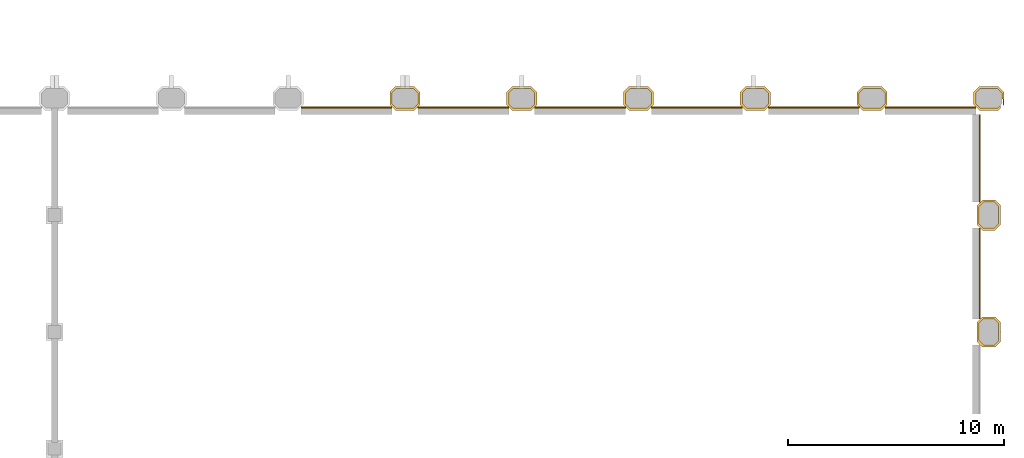
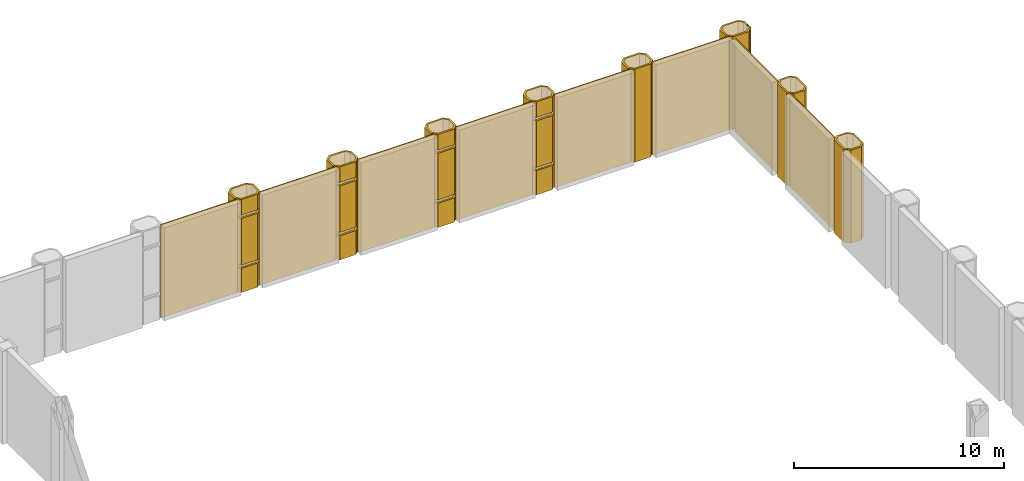
# One storey, part 27 of 27: 24 coverings.
"""IFC4 building model written with IfcOpenShell, lengths in metres."""

from ifc_helpers import new_model, si_unit, direction, frame, frame_2d, origin, place, context, subcontext, project, spatial, polyline, rectangle, outline, extrude, material, layer, layer_set, type_object, element, save


model = new_model("IFC4")

# Units and contexts
model_context = context("Model", 3, precision=1e-05, world=origin(), true_north=direction((0.0, 1.0)))
body_context = subcontext(model_context, "Body", "Model", "MODEL_VIEW")
ifc_project = project(units=[si_unit("LENGTHUNIT", "METRE"), si_unit("AREAUNIT", "SQUARE_METRE"), si_unit("VOLUMEUNIT", "CUBIC_METRE"), si_unit("PLANEANGLEUNIT", "RADIAN"), si_unit("MASSUNIT", "GRAM", prefix="KILO")], contexts=[model_context])

# Site, building, storey
site_placement = place(None, origin())
site = spatial("IfcSite", under=ifc_project, at=site_placement, CompositionType="ELEMENT")
building_placement = place(site_placement, origin())
building = spatial("IfcBuilding", under=site, at=building_placement, Name="Tabaq Tower and Sports Hall", CompositionType="ELEMENT")
storey_placement = place(building_placement, frame((0.0, 0.0, 14.39990234375)))
storey = spatial("IfcBuildingStorey", under=building, at=storey_placement, Name="L02", CompositionType="ELEMENT", Elevation=14.39990234375)

# Coverings
ifc_material_1 = material(Name="Precast concrete C60/75", Category="concrete")
ifc_layer_1 = layer(ifc_material_1, 0.10009765625)
ifc_layer_set_1 = layer_set([ifc_layer_1], Name="Column cladding 100")
covering_type_1 = type_object("IfcCoveringType", Name="Column cladding 100", PredefinedType="CLADDING", material=ifc_layer_set_1)
covering_1_placement = place(storey_placement, origin())
element("IfcCovering", 1, at=covering_1_placement, inside=storey, type_object=covering_type_1, Name="Column cladding L02 HC-19I", PredefinedType="CLADDING", context=body_context, shape_type="SweptSolid", body=[
    extrude(outline(polyline([(96.500244140625, 42.90869140625), (96.500244140625, 43.4912109375), (96.7587890625, 43.749755859375), (97.641357421875, 43.749755859375), (97.899658203125, 43.4912109375), (97.899658203125, 42.90869140625), (97.641357421875, 42.650390625), (96.7587890625, 42.650390625), (96.500244140625, 42.90869140625)]), holes=[polyline([(97.60009765625, 42.749755859375), (97.80029296875, 42.949951171875), (97.80029296875, 43.4501953125), (97.60009765625, 43.650390625), (96.7998046875, 43.650390625), (96.599609375, 43.4501953125), (96.599609375, 42.949951171875), (96.7998046875, 42.749755859375), (97.60009765625, 42.749755859375)])]), origin(), (0.0, 0.0, 1.0), 1.400146484375),
])
covering_2_placement = place(storey_placement, frame((0.0, 0.0, 1.60009765625)))
element("IfcCovering", 2, at=covering_2_placement, inside=storey, type_object=covering_type_1, Name="Column cladding L02 HC-19I 2", PredefinedType="CLADDING", context=body_context, shape_type="SweptSolid", body=[
    extrude(outline(polyline([(96.500244140625, 42.90869140625), (96.500244140625, 43.4912109375), (96.7587890625, 43.749755859375), (97.641357421875, 43.749755859375), (97.899658203125, 43.4912109375), (97.899658203125, 42.90869140625), (97.641357421875, 42.650390625), (96.7587890625, 42.650390625), (96.500244140625, 42.90869140625)]), holes=[polyline([(97.60009765625, 42.749755859375), (97.80029296875, 42.949951171875), (97.80029296875, 43.4501953125), (97.60009765625, 43.650390625), (96.7998046875, 43.650390625), (96.599609375, 43.4501953125), (96.599609375, 42.949951171875), (96.7998046875, 42.749755859375), (97.60009765625, 42.749755859375)])]), origin(), (0.0, 0.0, 1.0), 2.699951171875),
])
covering_3_placement = place(storey_placement, frame((0.0, 0.0, 4.5)))
element("IfcCovering", 3, at=covering_3_placement, inside=storey, type_object=covering_type_1, Name="Column cladding L02 HC-19I 3", PredefinedType="CLADDING", context=body_context, shape_type="SweptSolid", body=[
    extrude(outline(polyline([(96.500244140625, 42.90869140625), (96.500244140625, 43.4912109375), (96.7587890625, 43.749755859375), (97.641357421875, 43.749755859375), (97.899658203125, 43.4912109375), (97.899658203125, 42.90869140625), (97.641357421875, 42.650390625), (96.7587890625, 42.650390625), (96.500244140625, 42.90869140625)]), holes=[polyline([(97.60009765625, 42.749755859375), (97.80029296875, 42.949951171875), (97.80029296875, 43.4501953125), (97.60009765625, 43.650390625), (96.7998046875, 43.650390625), (96.599609375, 43.4501953125), (96.599609375, 42.949951171875), (96.7998046875, 42.749755859375), (97.60009765625, 42.749755859375)])]), origin(), (0.0, 0.0, 1.0), 0.900146484375),
])
covering_4_placement = place(storey_placement, origin())
element("IfcCovering", 4, at=covering_4_placement, inside=storey, type_object=covering_type_1, Name="Column cladding L02 HC-20I", PredefinedType="CLADDING", context=body_context, shape_type="SweptSolid", body=[
    extrude(outline(polyline([(101.900390625, 42.90869140625), (101.900390625, 43.4912109375), (102.15869140625, 43.749755859375), (103.041259765625, 43.749755859375), (103.2998046875, 43.4912109375), (103.2998046875, 42.90869140625), (103.041259765625, 42.650390625), (102.15869140625, 42.650390625), (101.900390625, 42.90869140625)]), holes=[polyline([(103.000244140625, 42.749755859375), (103.2001953125, 42.949951171875), (103.2001953125, 43.4501953125), (103.000244140625, 43.650390625), (102.199951171875, 43.650390625), (101.999755859375, 43.4501953125), (101.999755859375, 42.949951171875), (102.199951171875, 42.749755859375), (103.000244140625, 42.749755859375)])]), origin(), (0.0, 0.0, 1.0), 1.400146484375),
])
covering_5_placement = place(storey_placement, frame((0.0, 0.0, 1.60009765625)))
element("IfcCovering", 5, at=covering_5_placement, inside=storey, type_object=covering_type_1, Name="Column cladding L02 HC-20I 2", PredefinedType="CLADDING", context=body_context, shape_type="SweptSolid", body=[
    extrude(outline(polyline([(101.900390625, 42.90869140625), (101.900390625, 43.4912109375), (102.15869140625, 43.749755859375), (103.041259765625, 43.749755859375), (103.2998046875, 43.4912109375), (103.2998046875, 42.90869140625), (103.041259765625, 42.650390625), (102.15869140625, 42.650390625), (101.900390625, 42.90869140625)]), holes=[polyline([(103.000244140625, 42.749755859375), (103.2001953125, 42.949951171875), (103.2001953125, 43.4501953125), (103.000244140625, 43.650390625), (102.199951171875, 43.650390625), (101.999755859375, 43.4501953125), (101.999755859375, 42.949951171875), (102.199951171875, 42.749755859375), (103.000244140625, 42.749755859375)])]), origin(), (0.0, 0.0, 1.0), 2.699951171875),
])
covering_6_placement = place(storey_placement, frame((0.0, 0.0, 4.5)))
element("IfcCovering", 6, at=covering_6_placement, inside=storey, type_object=covering_type_1, Name="Column cladding L02 HC-20I 3", PredefinedType="CLADDING", context=body_context, shape_type="SweptSolid", body=[
    extrude(outline(polyline([(101.900390625, 42.90869140625), (101.900390625, 43.4912109375), (102.15869140625, 43.749755859375), (103.041259765625, 43.749755859375), (103.2998046875, 43.4912109375), (103.2998046875, 42.90869140625), (103.041259765625, 42.650390625), (102.15869140625, 42.650390625), (101.900390625, 42.90869140625)]), holes=[polyline([(103.000244140625, 42.749755859375), (103.2001953125, 42.949951171875), (103.2001953125, 43.4501953125), (103.000244140625, 43.650390625), (102.199951171875, 43.650390625), (101.999755859375, 43.4501953125), (101.999755859375, 42.949951171875), (102.199951171875, 42.749755859375), (103.000244140625, 42.749755859375)])]), origin(), (0.0, 0.0, 1.0), 0.900146484375),
])
covering_7_placement = place(storey_placement, origin())
element("IfcCovering", 7, at=covering_7_placement, inside=storey, type_object=covering_type_1, Name="Column cladding L02 HC-21I", PredefinedType="CLADDING", context=body_context, shape_type="SweptSolid", body=[
    extrude(outline(polyline([(107.30029296875, 42.90869140625), (107.30029296875, 43.4912109375), (107.55859375, 43.749755859375), (108.44140625, 43.749755859375), (108.69970703125, 43.4912109375), (108.69970703125, 42.90869140625), (108.44140625, 42.650390625), (107.55859375, 42.650390625), (107.30029296875, 42.90869140625)]), holes=[polyline([(108.400146484375, 42.749755859375), (108.600341796875, 42.949951171875), (108.600341796875, 43.4501953125), (108.400146484375, 43.650390625), (107.599853515625, 43.650390625), (107.399658203125, 43.4501953125), (107.399658203125, 42.949951171875), (107.599853515625, 42.749755859375), (108.400146484375, 42.749755859375)])]), origin(), (0.0, 0.0, 1.0), 1.400146484375),
])
covering_8_placement = place(storey_placement, frame((0.0, 0.0, 1.60009765625)))
element("IfcCovering", 8, at=covering_8_placement, inside=storey, type_object=covering_type_1, Name="Column cladding L02 HC-21I 2", PredefinedType="CLADDING", context=body_context, shape_type="SweptSolid", body=[
    extrude(outline(polyline([(107.30029296875, 42.90869140625), (107.30029296875, 43.4912109375), (107.55859375, 43.749755859375), (108.44140625, 43.749755859375), (108.69970703125, 43.4912109375), (108.69970703125, 42.90869140625), (108.44140625, 42.650390625), (107.55859375, 42.650390625), (107.30029296875, 42.90869140625)]), holes=[polyline([(108.400146484375, 42.749755859375), (108.600341796875, 42.949951171875), (108.600341796875, 43.4501953125), (108.400146484375, 43.650390625), (107.599853515625, 43.650390625), (107.399658203125, 43.4501953125), (107.399658203125, 42.949951171875), (107.599853515625, 42.749755859375), (108.400146484375, 42.749755859375)])]), origin(), (0.0, 0.0, 1.0), 2.699951171875),
])
covering_9_placement = place(storey_placement, frame((0.0, 0.0, 4.5)))
element("IfcCovering", 9, at=covering_9_placement, inside=storey, type_object=covering_type_1, Name="Column cladding L02 HC-21I 3", PredefinedType="CLADDING", context=body_context, shape_type="SweptSolid", body=[
    extrude(outline(polyline([(107.30029296875, 42.90869140625), (107.30029296875, 43.4912109375), (107.55859375, 43.749755859375), (108.44140625, 43.749755859375), (108.69970703125, 43.4912109375), (108.69970703125, 42.90869140625), (108.44140625, 42.650390625), (107.55859375, 42.650390625), (107.30029296875, 42.90869140625)]), holes=[polyline([(108.400146484375, 42.749755859375), (108.600341796875, 42.949951171875), (108.600341796875, 43.4501953125), (108.400146484375, 43.650390625), (107.599853515625, 43.650390625), (107.399658203125, 43.4501953125), (107.399658203125, 42.949951171875), (107.599853515625, 42.749755859375), (108.400146484375, 42.749755859375)])]), origin(), (0.0, 0.0, 1.0), 0.900146484375),
])
covering_10_placement = place(storey_placement, origin())
element("IfcCovering", 10, at=covering_10_placement, inside=storey, type_object=covering_type_1, Name="Column cladding L02 HC-22I", PredefinedType="CLADDING", context=body_context, shape_type="SweptSolid", body=[
    extrude(outline(polyline([(112.7001953125, 42.90869140625), (112.7001953125, 43.4912109375), (112.958740234375, 43.749755859375), (113.84130859375, 43.749755859375), (114.099609375, 43.4912109375), (114.099609375, 42.90869140625), (113.84130859375, 42.650390625), (112.958740234375, 42.650390625), (112.7001953125, 42.90869140625)]), holes=[polyline([(113.800048828125, 42.749755859375), (114.000244140625, 42.949951171875), (114.000244140625, 43.4501953125), (113.800048828125, 43.650390625), (112.999755859375, 43.650390625), (112.7998046875, 43.4501953125), (112.7998046875, 42.949951171875), (112.999755859375, 42.749755859375), (113.800048828125, 42.749755859375)])]), origin(), (0.0, 0.0, 1.0), 1.400146484375),
])
covering_11_placement = place(storey_placement, frame((0.0, 0.0, 1.60009765625)))
element("IfcCovering", 11, at=covering_11_placement, inside=storey, type_object=covering_type_1, Name="Column cladding L02 HC-22I 2", PredefinedType="CLADDING", context=body_context, shape_type="SweptSolid", body=[
    extrude(outline(polyline([(112.7001953125, 42.90869140625), (112.7001953125, 43.4912109375), (112.958740234375, 43.749755859375), (113.84130859375, 43.749755859375), (114.099609375, 43.4912109375), (114.099609375, 42.90869140625), (113.84130859375, 42.650390625), (112.958740234375, 42.650390625), (112.7001953125, 42.90869140625)]), holes=[polyline([(113.800048828125, 42.749755859375), (114.000244140625, 42.949951171875), (114.000244140625, 43.4501953125), (113.800048828125, 43.650390625), (112.999755859375, 43.650390625), (112.7998046875, 43.4501953125), (112.7998046875, 42.949951171875), (112.999755859375, 42.749755859375), (113.800048828125, 42.749755859375)])]), origin(), (0.0, 0.0, 1.0), 2.699951171875),
])
covering_12_placement = place(storey_placement, frame((0.0, 0.0, 4.5)))
element("IfcCovering", 12, at=covering_12_placement, inside=storey, type_object=covering_type_1, Name="Column cladding L02 HC-22I 3", PredefinedType="CLADDING", context=body_context, shape_type="SweptSolid", body=[
    extrude(outline(polyline([(112.7001953125, 42.90869140625), (112.7001953125, 43.4912109375), (112.958740234375, 43.749755859375), (113.84130859375, 43.749755859375), (114.099609375, 43.4912109375), (114.099609375, 42.90869140625), (113.84130859375, 42.650390625), (112.958740234375, 42.650390625), (112.7001953125, 42.90869140625)]), holes=[polyline([(113.800048828125, 42.749755859375), (114.000244140625, 42.949951171875), (114.000244140625, 43.4501953125), (113.800048828125, 43.650390625), (112.999755859375, 43.650390625), (112.7998046875, 43.4501953125), (112.7998046875, 42.949951171875), (112.999755859375, 42.749755859375), (113.800048828125, 42.749755859375)])]), origin(), (0.0, 0.0, 1.0), 0.900146484375),
])
covering_13_placement = place(storey_placement, origin())
element("IfcCovering", 13, at=covering_13_placement, inside=storey, type_object=covering_type_1, Name="Column cladding L02 HC-23I", PredefinedType="CLADDING", context=body_context, shape_type="SweptSolid", body=[
    extrude(outline(polyline([(118.100341796875, 42.90869140625), (118.100341796875, 43.4912109375), (118.358642578125, 43.749755859375), (119.2412109375, 43.749755859375), (119.499755859375, 43.4912109375), (119.499755859375, 42.90869140625), (119.2412109375, 42.650390625), (118.358642578125, 42.650390625), (118.100341796875, 42.90869140625)]), holes=[polyline([(119.2001953125, 42.749755859375), (119.400390625, 42.949951171875), (119.400390625, 43.4501953125), (119.2001953125, 43.650390625), (118.39990234375, 43.650390625), (118.19970703125, 43.4501953125), (118.19970703125, 42.949951171875), (118.39990234375, 42.749755859375), (119.2001953125, 42.749755859375)])]), origin(), (0.0, 0.0, 1.0), 5.400146484375),
])
covering_14_placement = place(storey_placement, origin())
element("IfcCovering", 14, at=covering_14_placement, inside=storey, type_object=covering_type_1, Name="Column cladding L02 HC-24G", PredefinedType="CLADDING", context=body_context, shape_type="SweptSolid", body=[
    extrude(outline(polyline([(123.90869140625, 31.7001953125), (123.650390625, 31.958740234375), (123.650390625, 32.84130859375), (123.90869140625, 33.099609375), (124.4912109375, 33.099609375), (124.73974609375, 32.851318359375), (124.73974609375, 32.419677734375), (124.749755859375, 32.419677734375), (124.749755859375, 32.38037109375), (124.73974609375, 32.38037109375), (124.73974609375, 31.94873046875), (124.4912109375, 31.7001953125), (123.90869140625, 31.7001953125)]), holes=[polyline([(124.4501953125, 33.000244140625), (123.949951171875, 33.000244140625), (123.749755859375, 32.800048828125), (123.749755859375, 31.999755859375), (123.949951171875, 31.7998046875), (124.4501953125, 31.7998046875), (124.650390625, 31.999755859375), (124.650390625, 32.800048828125), (124.4501953125, 33.000244140625)])]), origin(), (0.0, 0.0, 1.0), 5.400146484375),
])
covering_15_placement = place(storey_placement, origin())
element("IfcCovering", 15, at=covering_15_placement, inside=storey, type_object=covering_type_1, Name="Column cladding L02 HC-24H", PredefinedType="CLADDING", context=body_context, shape_type="SweptSolid", body=[
    extrude(outline(polyline([(123.90869140625, 37.100341796875), (123.650390625, 37.358642578125), (123.650390625, 38.2412109375), (123.90869140625, 38.499755859375), (124.4912109375, 38.499755859375), (124.73974609375, 38.251220703125), (124.73974609375, 37.3486328125), (124.4912109375, 37.100341796875), (123.90869140625, 37.100341796875)]), holes=[polyline([(124.4501953125, 38.400390625), (123.949951171875, 38.400390625), (123.749755859375, 38.2001953125), (123.749755859375, 37.39990234375), (123.949951171875, 37.19970703125), (124.4501953125, 37.19970703125), (124.650390625, 37.39990234375), (124.650390625, 38.2001953125), (124.4501953125, 38.400390625)])]), origin(), (0.0, 0.0, 1.0), 5.400146484375),
])
covering_16_placement = place(storey_placement, origin())
element("IfcCovering", 16, at=covering_16_placement, inside=storey, type_object=covering_type_1, Name="Column cladding L02 HC-24I", PredefinedType="CLADDING", context=body_context, shape_type="SweptSolid", body=[
    extrude(outline(polyline([(123.500244140625, 43.4912109375), (123.7587890625, 43.749755859375), (124.641357421875, 43.749755859375), (124.899658203125, 43.4912109375), (124.899658203125, 42.90869140625), (124.8603515625, 42.869384765625), (124.8603515625, 43.180419921875), (124.80029296875, 43.180419921875), (124.80029296875, 43.4501953125), (124.60009765625, 43.650390625), (123.7998046875, 43.650390625), (123.599609375, 43.4501953125), (123.599609375, 42.949951171875), (123.7998046875, 42.749755859375), (124.60009765625, 42.749755859375), (124.73974609375, 42.88916015625), (124.73974609375, 42.748779296875), (124.641357421875, 42.650390625), (123.7587890625, 42.650390625), (123.500244140625, 42.90869140625), (123.500244140625, 43.4912109375)])), origin(), (0.0, 0.0, 1.0), 5.400146484375),
])
ifc_material_2 = material(Name="Precast concrete C60/75", Category="concrete")
ifc_layer_2 = layer(ifc_material_2, 0.06005859375)
ifc_layer_set_2 = layer_set([ifc_layer_2], Name="White precast cladding panel 60 C60/75")
covering_type_2 = type_object("IfcCoveringType", Name="White precast cladding panel 60 C60/75", PredefinedType="CLADDING", material=ifc_layer_set_2)
covering_17_placement = place(storey_placement, frame((123.780029296875, 33.0, 0.0), z_axis=(0.0, 0.0, 1.0), x_axis=(0.0, 1.0, 0.0)))
element("IfcCovering", 17, at=covering_17_placement, inside=storey, type_object=covering_type_2, Name="White precast cladding panel L02 L02", PredefinedType="CLADDING", context=body_context, shape_type="SweptSolid", body=[
    extrude(rectangle(XDim=4.199951171875, YDim=0.06005859375, at=frame_2d((2.10009765625, 0.0))), origin(), (0.0, 0.0, 1.0), 5.400146484375),
])
covering_18_placement = place(storey_placement, frame((123.780029296875, 38.39990234375, 0.0), z_axis=(0.0, 0.0, 1.0), x_axis=(0.0, 1.0, 0.0)))
element("IfcCovering", 18, at=covering_18_placement, inside=storey, type_object=covering_type_2, Name="White precast cladding panel L02 L02", PredefinedType="CLADDING", context=body_context, shape_type="SweptSolid", body=[
    extrude(rectangle(XDim=4.050048828125, YDim=0.06005859375, at=frame_2d((2.02490234375, 0.0))), origin(), (0.0, 0.0, 1.0), 5.400146484375),
])
covering_19_placement = place(storey_placement, frame((92.39990234375, 42.780029296875, 0.0), z_axis=(0.0, 0.0, 1.0), x_axis=(1.0, 0.0, 0.0)))
element("IfcCovering", 19, at=covering_19_placement, inside=storey, type_object=covering_type_2, Name="White precast cladding panel L02 L02", PredefinedType="CLADDING", context=body_context, shape_type="SweptSolid", body=[
    extrude(rectangle(XDim=4.2001953125, YDim=0.06005859375, at=frame_2d((2.10009765625, 0.0))), origin(), (0.0, 0.0, 1.0), 5.400146484375),
])
for number, where, z_axis, x_axis, name in (
    (20, (97.800048828125, 42.780029296875, 0.0), (0.0, 0.0, 1.0), (1.0, 0.0, 0.0), "White precast cladding panel L02 L02"),
    (21, (103.199951171875, 42.780029296875, 0.0), (0.0, 0.0, 1.0), (1.0, 0.0, 0.0), "White precast cladding panel L02 L02"),
    (22, (108.60009765625, 42.780029296875, 0.0), (0.0, 0.0, 1.0), (1.0, 0.0, 0.0), "White precast cladding panel L02 L02"),
    (23, (114.0, 42.780029296875, 0.0), (0.0, 0.0, 1.0), (1.0, 0.0, 0.0), "White precast cladding panel L02 L02"),
):
    element("IfcCovering", number, at=place(storey_placement, frame(where, z_axis=z_axis, x_axis=x_axis)), inside=storey, type_object=covering_type_2, Name=name, PredefinedType="CLADDING", context=body_context, shape_type="SweptSolid", body=[
        extrude(rectangle(XDim=4.199951171875, YDim=0.06005859375, at=frame_2d((2.10009765625, 0.0))), origin(), (0.0, 0.0, 1.0), 5.400146484375),
    ])
covering_20_placement = place(storey_placement, frame((119.39990234375, 42.780029296875, 0.0), z_axis=(0.0, 0.0, 1.0), x_axis=(1.0, 0.0, 0.0)))
element("IfcCovering", 24, at=covering_20_placement, inside=storey, type_object=covering_type_2, Name="White precast cladding panel L02 L02", PredefinedType="CLADDING", context=body_context, shape_type="SweptSolid", body=[
    extrude(rectangle(XDim=4.2001953125, YDim=0.06005859375, at=frame_2d((2.10009765625, 0.0))), origin(), (0.0, 0.0, 1.0), 5.400146484375),
])

save(model, "model.ifc")
